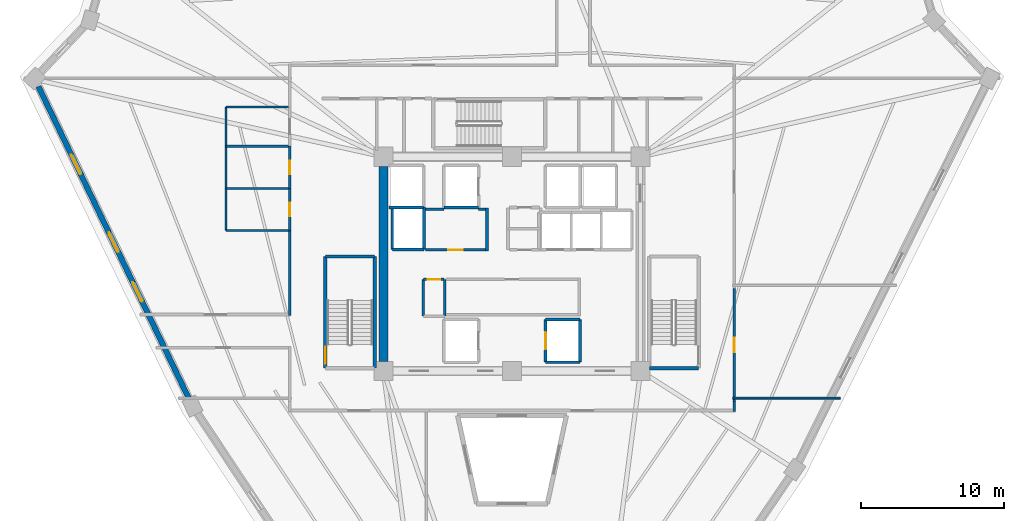
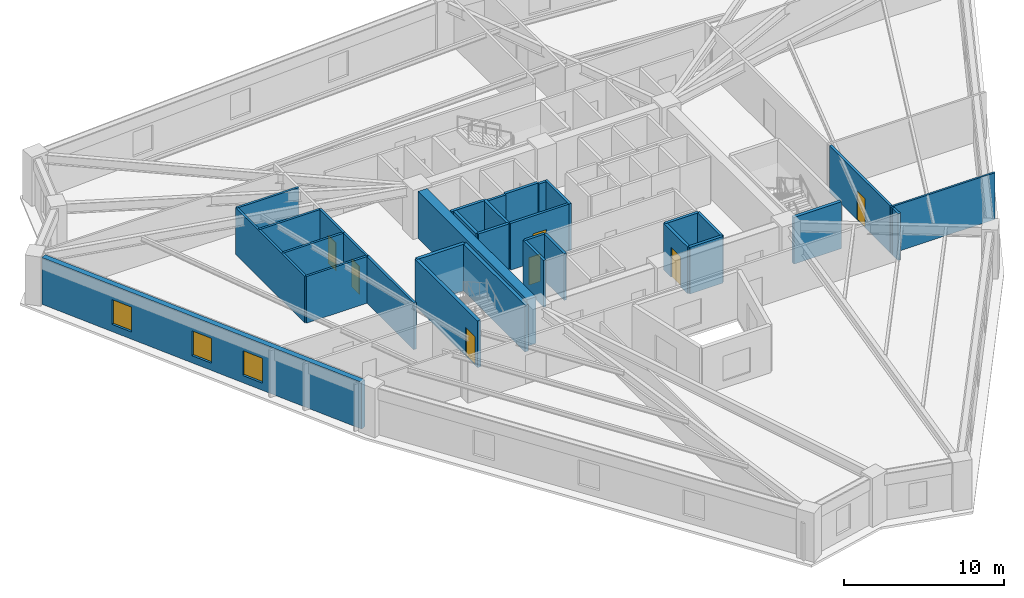
# One storey, part 4 of 8: 33 walls, 7 doors, 3 windows, 10 openings.
"""IFC4 building model written with IfcOpenShell, lengths in metres."""

from ifc_helpers import new_model, si_unit, direction, frame, frame_2d, origin, place, context, subcontext, project, spatial, rectangle, extrude, source, transform, mapped, material, layer, layer_set, type_object, element, fill, save


model = new_model("IFC4")

# Units and contexts
model_context = context("Model", 3, precision=1e-05, world=origin(), true_north=direction((0.0, 1.0)))
body_context = subcontext(model_context, "Body", "Model", "MODEL_VIEW")
ifc_project = project(units=[si_unit("LENGTHUNIT", "METRE"), si_unit("AREAUNIT", "SQUARE_METRE"), si_unit("VOLUMEUNIT", "CUBIC_METRE"), si_unit("PLANEANGLEUNIT", "RADIAN"), si_unit("MASSUNIT", "GRAM", prefix="KILO")], contexts=[model_context])

# Site, building, storey
site_placement = place(None, origin())
site = spatial("IfcSite", under=ifc_project, at=site_placement, CompositionType="ELEMENT")
building_placement = place(site_placement, origin())
building = spatial("IfcBuilding", under=site, at=building_placement, Name="Liaohun Quay Tower", CompositionType="ELEMENT")
storey_placement = place(building_placement, frame((0.0, 0.0, 220.5)))
storey = spatial("IfcBuildingStorey", under=building, at=storey_placement, Name="L57", CompositionType="ELEMENT", Elevation=220.5)

# Wall
ifc_material_1 = material(Name="Concrete C55", Category="concrete")
ifc_layer_1 = layer(ifc_material_1, 0.64990234375, Name="Concrete C55", Category="concrete")
ifc_layer_set_1 = layer_set([ifc_layer_1], Name="Concrete C55")
wall_type_1 = type_object("IfcWallType", Name="WAL-COR-Z3", PredefinedType="SHEAR", material=ifc_layer_set_1)
wall_1_placement = place(storey_placement, frame((51.0, 47.175048828125, 0.0), z_axis=(0.0, 0.0, 1.0), x_axis=(0.0, 1.0, 0.0)))
element("IfcWall", 1, at=wall_1_placement, inside=storey, type_object=wall_type_1, Name="L57 Central Core Shear Wall W", PredefinedType="SHEAR", context=body_context, shape_type="SweptSolid", body=[
    extrude(rectangle(XDim=13.64990234375, YDim=0.64990234375, at=frame_2d((6.824951171875, 0.0))), origin(), (0.0, 0.0, 1.0), 3.570068359375),
])

# Wall, openings, windows
ifc_material_2 = material(Name="Precast concrete C50 insulated sandwich", Category="concrete")
ifc_layer_2 = layer(ifc_material_2, 0.3798828125, Name="Precast concrete C50 insulated sandwich", Category="concrete")
ifc_layer_set_2 = layer_set([ifc_layer_2], Name="Precast concrete C50 insulated sandwich")
wall_type_2 = type_object("IfcWallType", Name="WAL-EXT-Z34", PredefinedType="SOLIDWALL", material=ifc_layer_set_2)
wall_2_placement = place(storey_placement, frame((26.847900390625, 66.426025390625, 0.0), z_axis=(0.0, 0.0, 1.0), x_axis=(0.434351028037, -0.900743684099, 0.0)))
wall_2 = element("IfcWall", 2, at=wall_2_placement, inside=storey, type_object=wall_type_2, Name="L57 Brutalist Precast Pier Wall 10", PredefinedType="SOLIDWALL", context=body_context, shape_type="SweptSolid", body=[
    extrude(rectangle(XDim=24.222412109375, YDim=0.3798828125, at=frame_2d((12.111328125, 0.0))), origin(), (0.0, 0.0, 1.0), 3.570068359375),
])
shared_shape_1 = source(origin(), body_context, "Body", "SweptSolid", [
    extrude(rectangle(XDim=1.5, YDim=1.89990234375, at=frame_2d((0.75, 0.949951171875))), frame((0.0, 0.199951171875, 0.0), z_axis=(0.0, -1.0, 0.0), x_axis=(1.0, 0.0, 0.0)), (0.0, 0.0, 1.0), 0.39990234375),
])
opening_1_placement = place(wall_2_placement, frame((5.305908203125, 0.0, 0.550048828125)))
opening_1 = element("IfcOpeningElement", 3, at=opening_1_placement, cuts=wall_2, Name="Opening W03", PredefinedType="OPENING", context=body_context, shape_type="MappedRepresentation", body=[
    mapped(shared_shape_1, transform((0.0, 0.0, 0.0), x_axis=(1.0, 0.0, 0.0), y_axis=(0.0, 1.0, 0.0), z_axis=(0.0, 0.0, 1.0), scale=1.0)),
])
opening_2_placement = place(wall_2_placement, frame((11.361083984375, 0.0, 0.550048828125)))
opening_2 = element("IfcOpeningElement", 4, at=opening_2_placement, cuts=wall_2, Name="Opening W03", PredefinedType="OPENING", context=body_context, shape_type="MappedRepresentation", body=[
    mapped(shared_shape_1, transform((0.0, 0.0, 0.0), x_axis=(1.0, 0.0, 0.0), y_axis=(0.0, 1.0, 0.0), z_axis=(0.0, 0.0, 1.0), scale=1.0)),
])
opening_3_placement = place(wall_2_placement, frame((15.217041015625, 0.0, 0.550048828125)))
opening_3 = element("IfcOpeningElement", 5, at=opening_3_placement, cuts=wall_2, Name="Opening W03", PredefinedType="OPENING", context=body_context, shape_type="MappedRepresentation", body=[
    mapped(shared_shape_1, transform((0.0, 0.0, 0.0), x_axis=(1.0, 0.0, 0.0), y_axis=(0.0, 1.0, 0.0), z_axis=(0.0, 0.0, 1.0), scale=1.0)),
])
ifc_material_3 = material(Name="Triple Low-E argon glazing in thermally broken aluminium", Category="aluminium")
window_type = type_object("IfcWindowType", Name="WIN-PUN-Z3", PartitioningType="DOUBLE_PANEL_VERTICAL", PredefinedType="WINDOW", material=ifc_material_3)
shared_shape_2 = source(origin(), body_context, "Body", "SweptSolid", [
    extrude(rectangle(XDim=1.5, YDim=1.89990234375, at=frame_2d((0.75, 0.949951171875))), frame((0.0, 0.030029296875, 0.0), z_axis=(0.0, -1.0, 0.0), x_axis=(1.0, 0.0, 0.0)), (0.0, 0.0, 1.0), 0.06005859375),
])
window_1_placement = place(opening_1_placement, origin())
window_1 = element("IfcWindow", 6, at=window_1_placement, inside=storey, type_object=window_type, Name="L57 Recessed Cold-Climate Punched Window 10-1", OverallHeight=1.89990234375, OverallWidth=1.5, PartitioningType="DOUBLE_PANEL_VERTICAL", PredefinedType="WINDOW", context=body_context, shape_type="MappedRepresentation", body=[
    mapped(shared_shape_2, transform((0.0, 0.0, 0.0), x_axis=(1.0, 0.0, 0.0), y_axis=(0.0, 1.0, 0.0), z_axis=(0.0, 0.0, 1.0), scale=1.0)),
])
fill(opening_1, window_1)
window_2_placement = place(opening_2_placement, origin())
window_2 = element("IfcWindow", 7, at=window_2_placement, inside=storey, type_object=window_type, Name="L57 Recessed Cold-Climate Punched Window 10-2", OverallHeight=1.89990234375, OverallWidth=1.5, PartitioningType="DOUBLE_PANEL_VERTICAL", PredefinedType="WINDOW", context=body_context, shape_type="MappedRepresentation", body=[
    mapped(shared_shape_2, transform((0.0, 0.0, 0.0), x_axis=(1.0, 0.0, 0.0), y_axis=(0.0, 1.0, 0.0), z_axis=(0.0, 0.0, 1.0), scale=1.0)),
])
fill(opening_2, window_2)
window_3_placement = place(opening_3_placement, origin())
window_3 = element("IfcWindow", 8, at=window_3_placement, inside=storey, type_object=window_type, Name="L57 Recessed Cold-Climate Punched Window 10-3", OverallHeight=1.89990234375, OverallWidth=1.5, PartitioningType="DOUBLE_PANEL_VERTICAL", PredefinedType="WINDOW", context=body_context, shape_type="MappedRepresentation", body=[
    mapped(shared_shape_2, transform((0.0, 0.0, 0.0), x_axis=(1.0, 0.0, 0.0), y_axis=(0.0, 1.0, 0.0), z_axis=(0.0, 0.0, 1.0), scale=1.0)),
])
fill(opening_3, window_3)

# Wall, opening, door
ifc_material_4 = material(Name="Autoclaved aerated concrete blockwork", Category="masonry")
ifc_layer_3 = layer(ifc_material_4, 0.179931640625, Name="Autoclaved aerated concrete blockwork", Category="masonry")
ifc_layer_set_3 = layer_set([ifc_layer_3], Name="Autoclaved aerated concrete blockwork")
wall_type_3 = type_object("IfcWallType", Name="WAL-PRT-COR", PredefinedType="PARTITIONING", material=ifc_layer_set_3)
wall_3_placement = place(storey_placement, frame((53.949951171875, 54.97998046875, 0.0), z_axis=(0.0, 0.0, 1.0), x_axis=(1.0, 0.0, 0.0)))
wall_3 = element("IfcWall", 9, at=wall_3_placement, inside=storey, type_object=wall_type_3, Name="L57 Interior Partition Wall 002", PredefinedType="PARTITIONING", context=body_context, shape_type="SweptSolid", body=[
    extrude(rectangle(XDim=4.2099609375, YDim=0.179931640625, at=frame_2d((2.10498046875, 0.0))), origin(), (0.0, 0.0, 1.0), 3.570068359375),
])
shared_shape_3 = source(origin(), body_context, "Body", "SweptSolid", [
    extrude(rectangle(XDim=1.0, YDim=2.199951171875, at=frame_2d((0.5, 1.10009765625))), frame((0.0, 0.099853515625, 0.0), z_axis=(0.0, -1.0, 0.0), x_axis=(1.0, 0.0, 0.0)), (0.0, 0.0, 1.0), 0.199951171875),
])
opening_4_placement = place(wall_3_placement, frame((1.60009765625, 0.0, 0.0)))
opening_4 = element("IfcOpeningElement", 10, at=opening_4_placement, cuts=wall_3, Name="Opening OD1", PredefinedType="OPENING", context=body_context, shape_type="MappedRepresentation", body=[
    mapped(shared_shape_3, transform((0.0, 0.0, 0.0), x_axis=(1.0, 0.0, 0.0), y_axis=(0.0, 1.0, 0.0), z_axis=(0.0, 0.0, 1.0), scale=1.0)),
])
ifc_material_5 = material(Name="Solid-core oak veneer timber leaf in steel frame", Category="steel")
door_type_1 = type_object("IfcDoorType", Name="DOR-OFF-1000", OperationType="NOTDEFINED", PredefinedType="DOOR", material=ifc_material_5)
shared_shape_4 = source(origin(), body_context, "Body", "SweptSolid", [
    extrude(rectangle(XDim=1.0, YDim=2.199951171875, at=frame_2d((0.5, 1.10009765625))), frame((0.0, 0.02490234375, 0.0), z_axis=(0.0, -1.0, 0.0), x_axis=(1.0, 0.0, 0.0)), (0.0, 0.0, 1.0), 0.050048828125),
])
door_1_placement = place(opening_4_placement, origin())
door_1 = element("IfcDoor", 11, at=door_1_placement, inside=storey, type_object=door_type_1, Name="L57 Core Staff Pantry and Tea Room Door", OperationType="SINGLE_SWING_LEFT", OverallHeight=2.199951171875, OverallWidth=1.0, PredefinedType="DOOR", context=body_context, shape_type="MappedRepresentation", body=[
    mapped(shared_shape_4, transform((0.0, 0.0, 0.0), x_axis=(1.0, 0.0, 0.0), y_axis=(0.0, 1.0, 0.0), z_axis=(0.0, 0.0, 1.0), scale=1.0)),
])
fill(opening_4, door_1)

wall_4_placement = place(storey_placement, frame((53.820068359375, 52.919921875, 0.0), z_axis=(0.0, 0.0, 1.0), x_axis=(1.0, 0.0, 0.0)))
wall_4 = element("IfcWall", 12, at=wall_4_placement, inside=storey, type_object=wall_type_3, Name="L57 Interior Partition Wall 005", PredefinedType="PARTITIONING", context=body_context, shape_type="SweptSolid", body=[
    extrude(rectangle(XDim=1.429931640625, YDim=0.179931640625, at=frame_2d((0.71484375, 0.0))), origin(), (0.0, 0.0, 1.0), 3.570068359375),
])
shared_shape_5 = source(origin(), body_context, "Body", "SweptSolid", [
    extrude(rectangle(XDim=0.85009765625, YDim=2.10009765625, at=frame_2d((0.425048828125, 1.050048828125))), frame((0.0, 0.099853515625, 0.0), z_axis=(0.0, -1.0, 0.0), x_axis=(1.0, 0.0, 0.0)), (0.0, 0.0, 1.0), 0.199951171875),
])
opening_5_placement = place(wall_4_placement, frame((0.2900390625, 0.0, 0.0)))
opening_5 = element("IfcOpeningElement", 13, at=opening_5_placement, cuts=wall_4, Name="Opening AD1", PredefinedType="OPENING", context=body_context, shape_type="MappedRepresentation", body=[
    mapped(shared_shape_5, transform((0.0, 0.0, 0.0), x_axis=(1.0, 0.0, 0.0), y_axis=(0.0, 1.0, 0.0), z_axis=(0.0, 0.0, 1.0), scale=1.0)),
])
ifc_material_6 = material(Name="Steel riser inspection fire door", Category="steel")
door_type_2 = type_object("IfcDoorType", Name="DOR-SHF-850", OperationType="NOTDEFINED", PredefinedType="DOOR", material=ifc_material_6)
shared_shape_6 = source(origin(), body_context, "Body", "SweptSolid", [
    extrude(rectangle(XDim=0.85009765625, YDim=2.10009765625, at=frame_2d((0.425048828125, 1.050048828125))), frame((0.0, 0.02490234375, 0.0), z_axis=(0.0, -1.0, 0.0), x_axis=(1.0, 0.0, 0.0)), (0.0, 0.0, 1.0), 0.050048828125),
])
door_2_placement = place(opening_5_placement, origin())
door_2 = element("IfcDoor", 14, at=door_2_placement, inside=storey, type_object=door_type_2, Name="L57 Core Fire Hose and Riser Closet Door", OperationType="SINGLE_SWING_RIGHT", OverallHeight=2.10009765625, OverallWidth=0.85009765625, PredefinedType="DOOR", context=body_context, shape_type="MappedRepresentation", body=[
    mapped(shared_shape_6, transform((0.0, 0.0, 0.0), x_axis=(1.0, 0.0, 0.0), y_axis=(0.0, 1.0, 0.0), z_axis=(0.0, 0.0, 1.0), scale=1.0)),
])
fill(opening_5, door_2)

wall_5_placement = place(storey_placement, frame((75.56005859375, 52.284912109375, 0.0), z_axis=(0.0, 0.0, 1.0), x_axis=(0.0, -1.0, 0.0)))
wall_5 = element("IfcWall", 15, at=wall_5_placement, inside=storey, type_object=wall_type_3, Name="L57 Interior Partition Wall 023", PredefinedType="PARTITIONING", context=body_context, shape_type="SweptSolid", body=[
    extrude(rectangle(XDim=7.89990234375, YDim=0.179931640625, at=frame_2d((3.949951171875, 0.0))), origin(), (0.0, 0.0, 1.0), 3.570068359375),
])
opening_6_placement = place(wall_5_placement, frame((3.449951171875, 0.0, 0.0)))
opening_6 = element("IfcOpeningElement", 16, at=opening_6_placement, cuts=wall_5, Name="Opening OD1", PredefinedType="OPENING", context=body_context, shape_type="MappedRepresentation", body=[
    mapped(shared_shape_3, transform((0.0, 0.0, 0.0), x_axis=(1.0, 0.0, 0.0), y_axis=(0.0, 1.0, 0.0), z_axis=(0.0, 0.0, 1.0), scale=1.0)),
])
door_3_placement = place(opening_6_placement, origin())
door_3 = element("IfcDoor", 17, at=door_3_placement, inside=storey, type_object=door_type_1, Name="L57 Client Collaboration Lounge 08 Door", OperationType="SINGLE_SWING_RIGHT", OverallHeight=2.199951171875, OverallWidth=1.0, PredefinedType="DOOR", context=body_context, shape_type="MappedRepresentation", body=[
    mapped(shared_shape_4, transform((0.0, 0.0, 0.0), x_axis=(1.0, 0.0, 0.0), y_axis=(0.0, 1.0, 0.0), z_axis=(0.0, 0.0, 1.0), scale=1.0)),
])
fill(opening_6, door_3)

# Walls
for number, where, z_axis, x_axis, name in (
    (18, (53.7900390625, 50.35009765625, 0.0), (0.0, 0.0, 1.0), (0.0, 1.0, 0.0), "L57 Interior Partition Wall 027"),
    (19, (55.280029296875, 50.35009765625, 0.0), (0.0, 0.0, 1.0), (0.0, 1.0, 0.0), "L57 Interior Partition Wall 029"),
):
    element("IfcWall", number, at=place(storey_placement, frame(where, z_axis=z_axis, x_axis=x_axis)), inside=storey, type_object=wall_type_3, Name=name, PredefinedType="PARTITIONING", context=body_context, shape_type="SweptSolid", body=[
        extrude(rectangle(XDim=2.56982421875, YDim=0.179931640625, at=frame_2d((1.284912109375, 0.0))), origin(), (0.0, 0.0, 1.0), 3.570068359375),
    ])
wall_6_placement = place(storey_placement, frame((44.43994140625, 50.389892578125, 0.0), z_axis=(0.0, 0.0, 1.0), x_axis=(0.0, 1.0, 0.0)))
element("IfcWall", 20, at=wall_6_placement, inside=storey, type_object=wall_type_3, Name="L57 Interior Partition Wall 044", PredefinedType="PARTITIONING", context=body_context, shape_type="SweptSolid", body=[
    extrude(rectangle(XDim=5.9501953125, YDim=0.179931640625, at=frame_2d((2.97509765625, 0.0))), origin(), (0.0, 0.0, 1.0), 3.570068359375),
])
wall_7_placement = place(storey_placement, frame((75.56005859375, 44.385009765625, 0.0), z_axis=(0.0, 0.0, 1.0), x_axis=(0.0, -1.0, 0.0)))
element("IfcWall", 21, at=wall_7_placement, inside=storey, type_object=wall_type_3, Name="L57 Interior Partition Wall 048", PredefinedType="PARTITIONING", context=body_context, shape_type="SweptSolid", body=[
    extrude(rectangle(XDim=0.715087890625, YDim=0.179931640625, at=frame_2d((0.357421875, 0.0))), origin(), (0.0, 0.0, 1.0), 3.570068359375),
])
wall_8_placement = place(storey_placement, frame((58.25, 54.889892578125, 0.0), z_axis=(0.0, 0.0, 1.0), x_axis=(0.0, 1.0, 0.0)))
element("IfcWall", 22, at=wall_8_placement, inside=storey, type_object=wall_type_3, Name="L57 Interior Partition Wall 057", PredefinedType="PARTITIONING", context=body_context, shape_type="SweptSolid", body=[
    extrude(rectangle(XDim=3.02001953125, YDim=0.179931640625, at=frame_2d((1.510009765625, 0.0))), origin(), (0.0, 0.0, 1.0), 3.570068359375),
])
wall_9_placement = place(storey_placement, frame((53.949951171875, 57.820068359375, 0.0), z_axis=(0.0, 0.0, 1.0), x_axis=(1.0, 0.0, 0.0)))
element("IfcWall", 23, at=wall_9_placement, inside=storey, type_object=wall_type_3, Name="L57 Interior Partition Wall 058", PredefinedType="PARTITIONING", context=body_context, shape_type="SweptSolid", body=[
    extrude(rectangle(XDim=1.300048828125, YDim=0.179931640625, at=frame_2d((0.64990234375, 0.0))), origin(), (0.0, 0.0, 1.0), 3.570068359375),
])
wall_10_placement = place(storey_placement, frame((57.64990234375, 57.820068359375, 0.0), z_axis=(0.0, 0.0, 1.0), x_axis=(1.0, 0.0, 0.0)))
element("IfcWall", 24, at=wall_10_placement, inside=storey, type_object=wall_type_3, Name="L57 Interior Partition Wall 059", PredefinedType="PARTITIONING", context=body_context, shape_type="SweptSolid", body=[
    extrude(rectangle(XDim=0.510009765625, YDim=0.179931640625, at=frame_2d((0.2548828125, 0.0))), origin(), (0.0, 0.0, 1.0), 3.570068359375),
])
ifc_material_7 = material(Name="Gypsum board on twin steel studs", Category="steel")
ifc_layer_4 = layer(ifc_material_7, 0.139892578125, Name="Gypsum board on twin steel studs", Category="steel")
ifc_layer_set_4 = layer_set([ifc_layer_4], Name="Gypsum board on twin steel studs")
wall_type_4 = type_object("IfcWallType", Name="WAL-PRT-OFF", PredefinedType="PARTITIONING", material=ifc_layer_set_4)
wall_11_placement = place(storey_placement, frame((75.4599609375, 44.60009765625, 0.0), z_axis=(0.0, 0.0, 1.0), x_axis=(1.0, 0.0, 0.0)))
element("IfcWall", 25, at=wall_11_placement, inside=storey, type_object=wall_type_4, Name="L57 Interior Partition Wall 051", PredefinedType="PARTITIONING", context=body_context, shape_type="SweptSolid", body=[
    extrude(rectangle(XDim=7.52294921875, YDim=0.139892578125, at=frame_2d((3.761474609375, 0.0))), origin(), (0.0, 0.0, 1.0), 3.570068359375),
])

# Wall, opening, door
ifc_material_8 = material(Name="Moisture-resistant masonry blockwork", Category="masonry")
ifc_layer_5 = layer(ifc_material_8, 0.159912109375, Name="Moisture-resistant masonry blockwork", Category="masonry")
ifc_layer_set_5 = layer_set([ifc_layer_5], Name="Moisture-resistant masonry blockwork")
wall_type_5 = type_object("IfcWallType", Name="WAL-PRT-WET", PredefinedType="PARTITIONING", material=ifc_layer_set_5)
wall_12_placement = place(storey_placement, frame((44.43994140625, 56.340087890625, 0.0), z_axis=(0.0, 0.0, 1.0), x_axis=(0.0, 1.0, 0.0)))
wall_12 = element("IfcWall", 26, at=wall_12_placement, inside=storey, type_object=wall_type_5, Name="L57 Interior Partition Wall 006", PredefinedType="PARTITIONING", context=body_context, shape_type="SweptSolid", body=[
    extrude(rectangle(XDim=2.93994140625, YDim=0.159912109375, at=frame_2d((1.469970703125, 0.0))), origin(), (0.0, 0.0, 1.0), 3.570068359375),
])
shared_shape_7 = source(origin(), body_context, "Body", "SweptSolid", [
    extrude(rectangle(XDim=0.949951171875, YDim=2.14990234375, at=frame_2d((0.47509765625, 1.074951171875))), frame((0.0, 0.08984375, 0.0), z_axis=(0.0, -1.0, 0.0), x_axis=(1.0, 0.0, 0.0)), (0.0, 0.0, 1.0), 0.179931640625),
])
opening_7_placement = place(wall_12_placement, frame((0.9951171875, 0.0, 0.0)))
opening_7 = element("IfcOpeningElement", 27, at=opening_7_placement, cuts=wall_12, Name="Opening WD1", PredefinedType="OPENING", context=body_context, shape_type="MappedRepresentation", body=[
    mapped(shared_shape_7, transform((0.0, 0.0, 0.0), x_axis=(1.0, 0.0, 0.0), y_axis=(0.0, 1.0, 0.0), z_axis=(0.0, 0.0, 1.0), scale=1.0)),
])
ifc_material_9 = material(Name="Moisture-resistant laminate timber leaf", Category="wood")
door_type_3 = type_object("IfcDoorType", Name="DOR-WC-950", OperationType="NOTDEFINED", PredefinedType="DOOR", material=ifc_material_9)
shared_shape_8 = source(origin(), body_context, "Body", "SweptSolid", [
    extrude(rectangle(XDim=0.949951171875, YDim=2.14990234375, at=frame_2d((0.47509765625, 1.074951171875))), frame((0.0, 0.02490234375, 0.0), z_axis=(0.0, -1.0, 0.0), x_axis=(1.0, 0.0, 0.0)), (0.0, 0.0, 1.0), 0.050048828125),
])
door_4_placement = place(opening_7_placement, origin())
door_4 = element("IfcDoor", 28, at=door_4_placement, inside=storey, type_object=door_type_3, Name="L57 Male Restroom WC Door", OperationType="SINGLE_SWING_LEFT", OverallHeight=2.14990234375, OverallWidth=0.949951171875, PredefinedType="DOOR", context=body_context, shape_type="MappedRepresentation", body=[
    mapped(shared_shape_8, transform((0.0, 0.0, 0.0), x_axis=(1.0, 0.0, 0.0), y_axis=(0.0, 1.0, 0.0), z_axis=(0.0, 0.0, 1.0), scale=1.0)),
])
fill(opening_7, door_4)

wall_13_placement = place(storey_placement, frame((44.43994140625, 59.280029296875, 0.0), z_axis=(0.0, 0.0, 1.0), x_axis=(0.0, 1.0, 0.0)))
wall_13 = element("IfcWall", 29, at=wall_13_placement, inside=storey, type_object=wall_type_5, Name="L57 Interior Partition Wall 007", PredefinedType="PARTITIONING", context=body_context, shape_type="SweptSolid", body=[
    extrude(rectangle(XDim=2.9599609375, YDim=0.159912109375, at=frame_2d((1.47998046875, 0.0))), origin(), (0.0, 0.0, 1.0), 3.570068359375),
])
opening_8_placement = place(wall_13_placement, frame((1.0048828125, 0.0, 0.0)))
opening_8 = element("IfcOpeningElement", 30, at=opening_8_placement, cuts=wall_13, Name="Opening WD1", PredefinedType="OPENING", context=body_context, shape_type="MappedRepresentation", body=[
    mapped(shared_shape_7, transform((0.0, 0.0, 0.0), x_axis=(1.0, 0.0, 0.0), y_axis=(0.0, 1.0, 0.0), z_axis=(0.0, 0.0, 1.0), scale=1.0)),
])
door_5_placement = place(opening_8_placement, origin())
door_5 = element("IfcDoor", 31, at=door_5_placement, inside=storey, type_object=door_type_3, Name="L57 Female Restroom WC Door", OperationType="SINGLE_SWING_RIGHT", OverallHeight=2.14990234375, OverallWidth=0.949951171875, PredefinedType="DOOR", context=body_context, shape_type="MappedRepresentation", body=[
    mapped(shared_shape_8, transform((0.0, 0.0, 0.0), x_axis=(1.0, 0.0, 0.0), y_axis=(0.0, 1.0, 0.0), z_axis=(0.0, 0.0, 1.0), scale=1.0)),
])
fill(opening_8, door_5)

# Walls
wall_14_placement = place(storey_placement, frame((39.97998046875, 56.340087890625, 0.0), z_axis=(0.0, 0.0, 1.0), x_axis=(0.0, 1.0, 0.0)))
element("IfcWall", 32, at=wall_14_placement, inside=storey, type_object=wall_type_5, Name="L57 Interior Partition Wall 030", PredefinedType="PARTITIONING", context=body_context, shape_type="SweptSolid", body=[
    extrude(rectangle(XDim=8.639892578125, YDim=0.159912109375, at=frame_2d((4.31982421875, 0.0))), origin(), (0.0, 0.0, 1.0), 3.570068359375),
])
for number, where, z_axis, x_axis, name in (
    (33, (39.97998046875, 56.340087890625, 0.0), (0.0, 0.0, 1.0), (1.0, 0.0, 0.0), "L57 Interior Partition Wall 031"),
    (34, (39.97998046875, 59.280029296875, 0.0), (0.0, 0.0, 1.0), (1.0, 0.0, 0.0), "L57 Interior Partition Wall 032"),
    (35, (39.97998046875, 62.239990234375, 0.0), (0.0, 0.0, 1.0), (1.0, 0.0, 0.0), "L57 Interior Partition Wall 033"),
    (36, (39.97998046875, 64.97998046875, 0.0), (0.0, 0.0, 1.0), (1.0, 0.0, 0.0), "L57 Interior Partition Wall 034"),
):
    element("IfcWall", number, at=place(storey_placement, frame(where, z_axis=z_axis, x_axis=x_axis)), inside=storey, type_object=wall_type_5, Name=name, PredefinedType="PARTITIONING", context=body_context, shape_type="SweptSolid", body=[
        extrude(rectangle(XDim=4.4599609375, YDim=0.159912109375, at=frame_2d((2.22998046875, 0.0))), origin(), (0.0, 0.0, 1.0), 3.570068359375),
    ])
ifc_material_10 = material(Name="Concrete C50", Category="concrete")
ifc_layer_6 = layer(ifc_material_10, 0.239990234375, Name="Concrete C50", Category="concrete")
ifc_layer_set_6 = layer_set([ifc_layer_6], Name="Concrete C50")
wall_type_6 = type_object("IfcWallType", Name="WAL-SHF-200", PredefinedType="SOLIDWALL", material=ifc_layer_set_6)
wall_15_placement = place(storey_placement, frame((50.3798828125, 46.699951171875, 0.0), z_axis=(0.0, 0.0, 1.0), x_axis=(0.0, 1.0, 0.0)))
element("IfcWall", 37, at=wall_15_placement, inside=storey, type_object=wall_type_6, Name="L57 Stairwell ST-1 Structural Core Wall E", PredefinedType="SOLIDWALL", context=body_context, shape_type="SweptSolid", body=[
    extrude(rectangle(XDim=7.820068359375, YDim=0.239990234375, at=frame_2d((3.91015625, 0.0))), origin(), (0.0, 0.0, 1.0), 3.570068359375),
])
wall_16_placement = place(storey_placement, frame((50.3798828125, 54.52001953125, 0.0), z_axis=(0.0, 0.0, 1.0), x_axis=(-1.0, 0.0, 0.0)))
element("IfcWall", 38, at=wall_16_placement, inside=storey, type_object=wall_type_6, Name="L57 Stairwell ST-1 Structural Core Wall N", PredefinedType="SOLIDWALL", context=body_context, shape_type="SweptSolid", body=[
    extrude(rectangle(XDim=3.43994140625, YDim=0.239990234375, at=frame_2d((1.719970703125, 0.0))), origin(), (0.0, 0.0, 1.0), 3.570068359375),
])

# Wall, opening, door
wall_17_placement = place(storey_placement, frame((46.93994140625, 54.52001953125, 0.0), z_axis=(0.0, 0.0, 1.0), x_axis=(0.0, -1.0, 0.0)))
wall_17 = element("IfcWall", 39, at=wall_17_placement, inside=storey, type_object=wall_type_6, Name="L57 Stairwell ST-1 Structural Core Wall W", PredefinedType="SOLIDWALL", context=body_context, shape_type="SweptSolid", body=[
    extrude(rectangle(XDim=7.820068359375, YDim=0.239990234375, at=frame_2d((3.91015625, 0.0))), origin(), (0.0, 0.0, 1.0), 3.570068359375),
])
shared_shape_9 = source(origin(), body_context, "Body", "SweptSolid", [
    extrude(rectangle(XDim=1.199951171875, YDim=2.199951171875, at=frame_2d((0.60009765625, 1.10009765625))), frame((0.0, 0.1298828125, 0.0), z_axis=(0.0, -1.0, 0.0), x_axis=(1.0, 0.0, 0.0)), (0.0, 0.0, 1.0), 0.260009765625),
])
opening_9_placement = place(wall_17_placement, frame((6.300048828125, 0.0, 0.0)))
opening_9 = element("IfcOpeningElement", 40, at=opening_9_placement, cuts=wall_17, Name="Opening SD1", PredefinedType="OPENING", context=body_context, shape_type="MappedRepresentation", body=[
    mapped(shared_shape_9, transform((0.0, 0.0, 0.0), x_axis=(1.0, 0.0, 0.0), y_axis=(0.0, 1.0, 0.0), z_axis=(0.0, 0.0, 1.0), scale=1.0)),
])
ifc_material_11 = material(Name="Galvanised steel fire door", Category="steel")
door_type_4 = type_object("IfcDoorType", Name="DOR-STR-1200", OperationType="NOTDEFINED", PredefinedType="DOOR", material=ifc_material_11)
shared_shape_10 = source(origin(), body_context, "Body", "SweptSolid", [
    extrude(rectangle(XDim=1.199951171875, YDim=2.199951171875, at=frame_2d((0.60009765625, 1.10009765625))), frame((0.0, 0.02490234375, 0.0), z_axis=(0.0, -1.0, 0.0), x_axis=(1.0, 0.0, 0.0)), (0.0, 0.0, 1.0), 0.050048828125),
])
door_6_placement = place(opening_9_placement, origin())
door_6 = element("IfcDoor", 41, at=door_6_placement, inside=storey, type_object=door_type_4, Name="L57 Protected Stair ST-1 Fire Door", OperationType="SINGLE_SWING_LEFT", OverallHeight=2.199951171875, OverallWidth=1.199951171875, PredefinedType="DOOR", context=body_context, shape_type="MappedRepresentation", body=[
    mapped(shared_shape_10, transform((0.0, 0.0, 0.0), x_axis=(1.0, 0.0, 0.0), y_axis=(0.0, 1.0, 0.0), z_axis=(0.0, 0.0, 1.0), scale=1.0)),
])
fill(opening_9, door_6)

# Walls
wall_18_placement = place(storey_placement, frame((69.6201171875, 46.699951171875, 0.0), z_axis=(0.0, 0.0, 1.0), x_axis=(1.0, 0.0, 0.0)))
element("IfcWall", 42, at=wall_18_placement, inside=storey, type_object=wall_type_6, Name="L57 Stairwell ST-2 Structural Core Wall S", PredefinedType="SOLIDWALL", context=body_context, shape_type="SweptSolid", body=[
    extrude(rectangle(XDim=3.43994140625, YDim=0.239990234375, at=frame_2d((1.719970703125, 0.0))), origin(), (0.0, 0.0, 1.0), 3.570068359375),
])
wall_19_placement = place(storey_placement, frame((62.35009765625, 47.1201171875, 0.0), z_axis=(0.0, 0.0, 1.0), x_axis=(1.0, 0.0, 0.0)))
element("IfcWall", 43, at=wall_19_placement, inside=storey, type_object=wall_type_6, Name="L57 Lift FF-02 Hoistway Wall S", PredefinedType="SOLIDWALL", context=body_context, shape_type="SweptSolid", body=[
    extrude(rectangle(XDim=2.39990234375, YDim=0.199951171875, at=frame_2d((1.199951171875, 0.0))), origin(), (0.0, 0.0, 1.0), 3.570068359375),
])
wall_20_placement = place(storey_placement, frame((64.75, 47.1201171875, 0.0), z_axis=(0.0, 0.0, 1.0), x_axis=(0.0, 1.0, 0.0)))
element("IfcWall", 44, at=wall_20_placement, inside=storey, type_object=wall_type_6, Name="L57 Lift FF-02 Hoistway Wall E", PredefinedType="SOLIDWALL", context=body_context, shape_type="SweptSolid", body=[
    extrude(rectangle(XDim=3.0, YDim=0.199951171875, at=frame_2d((1.5, 0.0))), origin(), (0.0, 0.0, 1.0), 3.570068359375),
])
wall_21_placement = place(storey_placement, frame((64.75, 50.1201171875, 0.0), z_axis=(0.0, 0.0, 1.0), x_axis=(-1.0, 0.0, 0.0)))
element("IfcWall", 45, at=wall_21_placement, inside=storey, type_object=wall_type_6, Name="L57 Lift FF-02 Hoistway Wall N", PredefinedType="SOLIDWALL", context=body_context, shape_type="SweptSolid", body=[
    extrude(rectangle(XDim=2.39990234375, YDim=0.199951171875, at=frame_2d((1.199951171875, 0.0))), origin(), (0.0, 0.0, 1.0), 3.570068359375),
])

# Wall, opening, door
wall_22_placement = place(storey_placement, frame((62.35009765625, 50.1201171875, 0.0), z_axis=(0.0, 0.0, 1.0), x_axis=(0.0, -1.0, 0.0)))
wall_22 = element("IfcWall", 46, at=wall_22_placement, inside=storey, type_object=wall_type_6, Name="L57 Lift FF-02 Hoistway Wall W", PredefinedType="SOLIDWALL", context=body_context, shape_type="SweptSolid", body=[
    extrude(rectangle(XDim=3.0, YDim=0.199951171875, at=frame_2d((1.5, 0.0))), origin(), (0.0, 0.0, 1.0), 3.570068359375),
])
shared_shape_11 = source(origin(), body_context, "Body", "SweptSolid", [
    extrude(rectangle(XDim=1.199951171875, YDim=2.300048828125, at=frame_2d((0.60009765625, 1.14990234375))), frame((0.0, 0.10986328125, 0.0), z_axis=(0.0, -1.0, 0.0), x_axis=(1.0, 0.0, 0.0)), (0.0, 0.0, 1.0), 0.219970703125),
])
opening_10_placement = place(wall_22_placement, frame((0.89990234375, 0.0, 0.0)))
opening_10 = element("IfcOpeningElement", 47, at=opening_10_placement, cuts=wall_22, Name="Opening LD2", PredefinedType="OPENING", context=body_context, shape_type="MappedRepresentation", body=[
    mapped(shared_shape_11, transform((0.0, 0.0, 0.0), x_axis=(1.0, 0.0, 0.0), y_axis=(0.0, 1.0, 0.0), z_axis=(0.0, 0.0, 1.0), scale=1.0)),
])
ifc_material_12 = material(Name="Brushed stainless steel stretcher landing door", Category="steel")
door_type_5 = type_object("IfcDoorType", Name="DOR-LFT-1200", OperationType="SLIDING_TO_LEFT", PredefinedType="DOOR", material=ifc_material_12)
shared_shape_12 = source(origin(), body_context, "Body", "SweptSolid", [
    extrude(rectangle(XDim=1.199951171875, YDim=2.300048828125, at=frame_2d((0.60009765625, 1.14990234375))), frame((0.0, 0.02490234375, 0.0), z_axis=(0.0, -1.0, 0.0), x_axis=(1.0, 0.0, 0.0)), (0.0, 0.0, 1.0), 0.050048828125),
])
door_7_placement = place(opening_10_placement, origin())
door_7 = element("IfcDoor", 48, at=door_7_placement, inside=storey, type_object=door_type_5, Name="L57 Lift FF-02 Sliding Landing Door", OperationType="SLIDING_TO_LEFT", OverallHeight=2.300048828125, OverallWidth=1.199951171875, PredefinedType="DOOR", context=body_context, shape_type="MappedRepresentation", body=[
    mapped(shared_shape_12, transform((0.0, 0.0, 0.0), x_axis=(1.0, 0.0, 0.0), y_axis=(0.0, 1.0, 0.0), z_axis=(0.0, 0.0, 1.0), scale=1.0)),
])
fill(opening_10, door_7)

# Walls
wall_23_placement = place(storey_placement, frame((55.25, 57.949951171875, 0.0), z_axis=(0.0, 0.0, 1.0), x_axis=(1.0, 0.0, 0.0)))
element("IfcWall", 49, at=wall_23_placement, inside=storey, type_object=wall_type_6, Name="L57 Lift FF-03 Hoistway Wall S", PredefinedType="SOLIDWALL", context=body_context, shape_type="SweptSolid", body=[
    extrude(rectangle(XDim=2.39990234375, YDim=0.199951171875, at=frame_2d((1.199951171875, 0.0))), origin(), (0.0, 0.0, 1.0), 3.570068359375),
])
wall_24_placement = place(storey_placement, frame((51.39990234375, 57.949951171875, 0.0), z_axis=(0.0, 0.0, 1.0), x_axis=(1.0, 0.0, 0.0)))
element("IfcWall", 50, at=wall_24_placement, inside=storey, type_object=wall_type_6, Name="L57 Lift SH-01 Hoistway Wall S", PredefinedType="SOLIDWALL", context=body_context, shape_type="SweptSolid", body=[
    extrude(rectangle(XDim=2.400146484375, YDim=0.199951171875, at=frame_2d((1.2001953125, 0.0))), origin(), (0.0, 0.0, 1.0), 3.570068359375),
])
wall_25_placement = place(storey_placement, frame((51.6201171875, 55.0, 0.0), z_axis=(0.0, 0.0, 1.0), x_axis=(1.0, 0.0, 0.0)))
element("IfcWall", 51, at=wall_25_placement, inside=storey, type_object=wall_type_6, Name="L57 Lift SH-02 Hoistway Wall S", PredefinedType="SOLIDWALL", context=body_context, shape_type="SweptSolid", body=[
    extrude(rectangle(XDim=2.22998046875, YDim=0.199951171875, at=frame_2d((1.114990234375, 0.0))), origin(), (0.0, 0.0, 1.0), 3.570068359375),
])
for number, where, z_axis, x_axis, name in (
    (52, (53.85009765625, 55.0, 0.0), (0.0, 0.0, 1.0), (0.0, 1.0, 0.0), "L57 Lift SH-02 Hoistway Wall E"),
    (53, (51.6201171875, 58.0, 0.0), (0.0, 0.0, 1.0), (0.0, -1.0, 0.0), "L57 Lift SH-02 Hoistway Wall W"),
):
    element("IfcWall", number, at=place(storey_placement, frame(where, z_axis=z_axis, x_axis=x_axis)), inside=storey, type_object=wall_type_6, Name=name, PredefinedType="SOLIDWALL", context=body_context, shape_type="SweptSolid", body=[
        extrude(rectangle(XDim=3.0, YDim=0.199951171875, at=frame_2d((1.5, 0.0))), origin(), (0.0, 0.0, 1.0), 3.570068359375),
    ])

save(model, "model.ifc")
